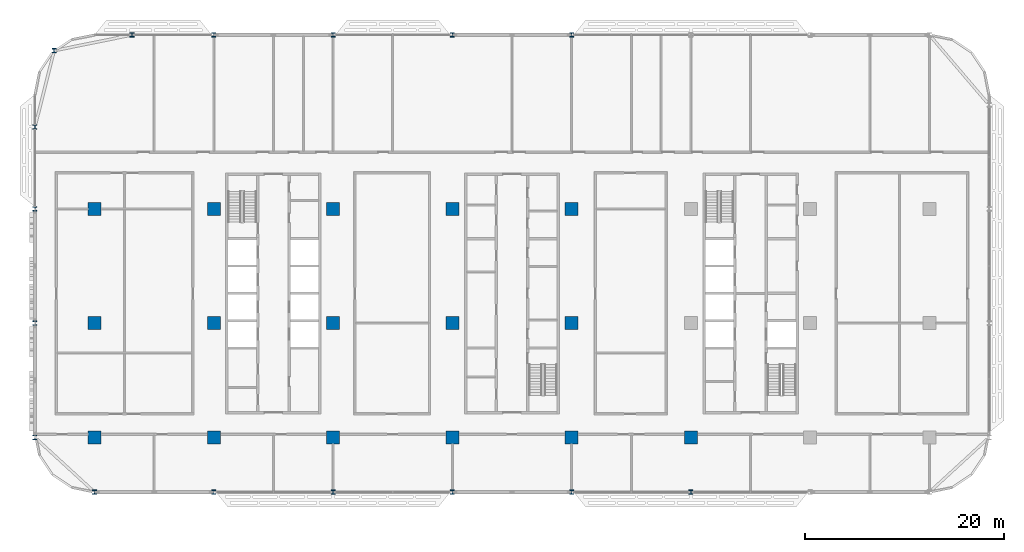
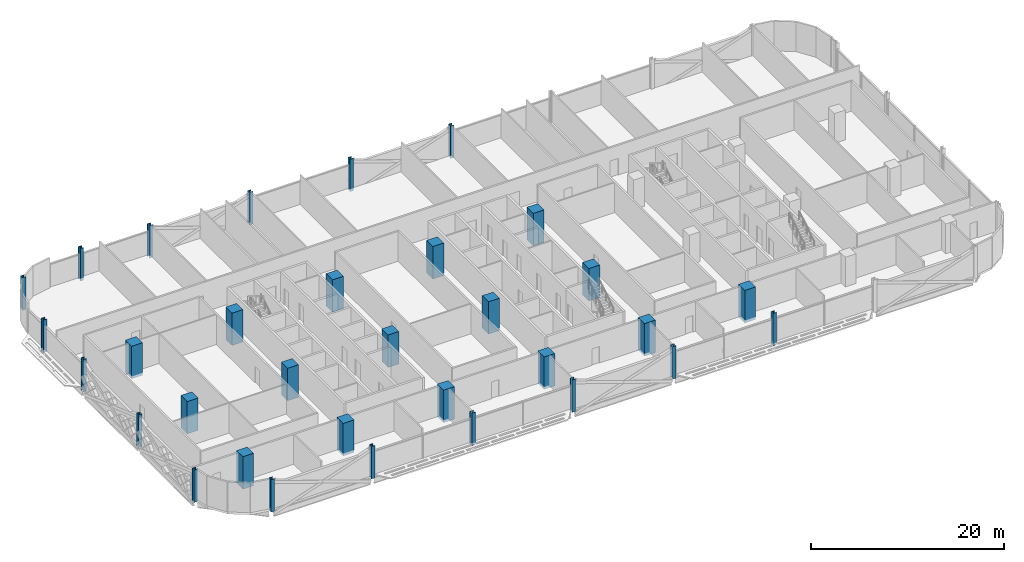
# One storey, part 1 of 28: 32 columns.
"""IFC4 building model written with IfcOpenShell, lengths in metres."""

import ifcopenshell
import ifcopenshell.guid

model = None  # the IFC model being written
_history = None  # IfcOwnerHistory: only IFC2X3 demands one
_inside = {}  # id of a spatial element -> (the spatial element, [elements in it])
_under = {}  # id of a project, library or spatial element -> (it, [spatial elements below it])
_declared = {}  # id of a project -> (the project, [libraries it declares])
_typed = {}  # id of a type object -> (the type object, [elements of that type])
_made_of = {}  # id of a material, layer set ... -> (it, [elements and type objects made of it])


def new_model(schema):
    """Start an empty IFC model of exactly this schema.

    Asked for "IFC4X3", IfcOpenShell would pick the latest addendum, in which some entities
    have other attributes; the version numbers below select the first issue.
    IFC2X3 requires an IfcOwnerHistory on every rooted entity: one is made here for all.
    """
    global model, _history
    if schema == "IFC4X3":
        model = ifcopenshell.file(schema_version=(4, 3, 0, 0))
    else:
        model = ifcopenshell.file(schema=schema)
    _inside.clear()
    _under.clear()
    _declared.clear()
    _typed.clear()
    _made_of.clear()
    _history = None
    if model.schema == "IFC2X3":
        org = make("IfcOrganization", Name="unknown")
        user = make(
            "IfcPersonAndOrganization",
            ThePerson=make("IfcPerson", FamilyName="unknown"),
            TheOrganization=org,
        )
        app = make(
            "IfcApplication",
            ApplicationDeveloper=org,
            Version="unknown",
            ApplicationFullName="unknown",
            ApplicationIdentifier="unknown",
        )
        _history = make(
            "IfcOwnerHistory",
            OwningUser=user,
            OwningApplication=app,
            ChangeAction="ADDED",
            CreationDate=0,
        )
    return model


def make(cls, **values):
    """One entity of the class cls with the attributes given. An attribute that is None is left unset."""
    return model.create_entity(
        cls, **{name: value for name, value in values.items() if value is not None}
    )


def rooted(cls, **values):
    """An entity with a GlobalId (a new one), such as an element, a storey or a relation."""
    return make(cls, GlobalId=ifcopenshell.guid.new(), OwnerHistory=_history, **values)


def si_unit(unit_type, name, prefix=None):
    """IfcSIUnit, for example si_unit("LENGTHUNIT", "METRE", prefix="MILLI")."""
    return make("IfcSIUnit", UnitType=unit_type, Prefix=prefix, Name=name)


def assignment(units):
    """IfcUnitAssignment: the units of a project."""
    return None if units is None else make("IfcUnitAssignment", Units=units)


def point(xyz):
    """IfcCartesianPoint."""
    return None if xyz is None else make("IfcCartesianPoint", Coordinates=xyz)


def direction(xyz):
    """IfcDirection."""
    return None if xyz is None else make("IfcDirection", DirectionRatios=xyz)


def frame(location, z_axis=None, x_axis=None):
    """IfcAxis2Placement3D, a coordinate frame: its origin and axes. An axis left out is left unset."""
    return make(
        "IfcAxis2Placement3D",
        Location=point(location),
        Axis=direction(z_axis),
        RefDirection=direction(x_axis),
    )


def frame_2d(location, x_axis=None):
    """IfcAxis2Placement2D, a coordinate frame in the plane: its origin and x axis."""
    return make(
        "IfcAxis2Placement2D", Location=point(location), RefDirection=direction(x_axis)
    )


def origin():
    """The frame at (0, 0, 0) with its axes left unset."""
    return frame((0.0, 0.0, 0.0))


def origin_2d():
    """The frame at (0, 0) in the plane with its x axis left unset."""
    return frame_2d((0.0, 0.0))


def place(relative_to, where):
    """IfcLocalPlacement: puts the frame where relative to a parent placement (None: the world)."""
    return make(
        "IfcLocalPlacement", PlacementRelTo=relative_to, RelativePlacement=where
    )


def context(
    kind, dimensions, precision=None, world=None, true_north=None, identifier=None
):
    """IfcGeometricRepresentationContext, for example the 3D "Model" context."""
    return make(
        "IfcGeometricRepresentationContext",
        ContextIdentifier=identifier,
        ContextType=kind,
        CoordinateSpaceDimension=dimensions,
        Precision=precision,
        WorldCoordinateSystem=world,
        TrueNorth=true_north,
    )


def subcontext(parent, identifier, kind, view, scale=None):
    """IfcGeometricRepresentationSubContext, for example "Body" below "Model"."""
    return make(
        "IfcGeometricRepresentationSubContext",
        ContextIdentifier=identifier,
        ContextType=kind,
        ParentContext=parent,
        TargetScale=scale,
        TargetView=view,
    )


def project(units=None, contexts=None):
    """IfcProject with its units and contexts."""
    return rooted(
        "IfcProject",
        Name="project",
        RepresentationContexts=contexts,
        UnitsInContext=assignment(units),
    )


def spatial(cls, under=None, at=None, **own):
    """A site, building, storey or space (cls), placed at a placement, below another one or the project."""
    s = rooted(cls, ObjectPlacement=at, **own)
    if under is not None:
        _under.setdefault(under.id(), (under, []))[1].append(s)
    return s


def profile(cls, at=None, kind="AREA", **sizes):
    """A parametric profile (cls). Its sizes go by their IFC names, for example OverallWidth=200.0."""
    return make(cls, ProfileType=kind, Position=at, **sizes)


def rectangle(**sizes):
    """IfcRectangleProfileDef."""
    return profile("IfcRectangleProfileDef", **sizes)


def i_section(**sizes):
    """IfcIShapeProfileDef."""
    return profile("IfcIShapeProfileDef", **sizes)


def extrude(swept, where, along, depth):
    """IfcExtrudedAreaSolid: the profile swept, set in the frame where, extruded along a direction by depth."""
    return make(
        "IfcExtrudedAreaSolid",
        SweptArea=swept,
        Position=where,
        ExtrudedDirection=direction(along),
        Depth=depth,
    )


def shape(context_of_items, identifier, shape_type, items):
    """IfcShapeRepresentation: the items that make up one representation, for example the "Body"."""
    return make(
        "IfcShapeRepresentation",
        ContextOfItems=context_of_items,
        RepresentationIdentifier=identifier,
        RepresentationType=shape_type,
        Items=items,
    )


def material(Name=None, Category=None):
    """IfcMaterial."""
    return make("IfcMaterial", Name=Name, Category=Category)


def material_profile(
    of_material, cross_section, Name=None, Category=None, Priority=None
):
    """IfcMaterialProfile: a cross section and its material."""
    return make(
        "IfcMaterialProfile",
        Name=Name,
        Material=of_material,
        Profile=cross_section,
        Priority=Priority,
        Category=Category,
    )


def profile_set(profiles, Name=None, composite=None):
    """IfcMaterialProfileSet."""
    return make(
        "IfcMaterialProfileSet",
        Name=Name,
        MaterialProfiles=profiles,
        CompositeProfile=composite,
    )


def made_of(thing, what):
    """Note that an element or type object is made of a material, layer set ...; save() writes the relation."""
    if what is not None:
        _made_of.setdefault(what.id(), (what, []))[1].append(thing)
    return thing


def type_object(cls, material=None, **own):
    """A type object (cls), such as IfcWallType, which elements share."""
    return made_of(rooted(cls, **own), material)


def element(
    cls,
    number,
    at=None,
    inside=None,
    cuts=None,
    type_object=None,
    material=None,
    context=None,
    identifier="Body",
    shape_type=None,
    held_by="IfcProductDefinitionShape",
    body=None,
    shapes=None,
    **own,
):
    """One element of the class cls, such as IfcWall. Its Tag is "e" and its number.

    at: its placement. inside: the storey or other place that contains it. cuts: it is an
    opening in that element (IfcRelVoidsElement). A single representation is given by context,
    identifier, shape_type and body (its items); several are given by shapes. held_by: the class
    of the entity that holds the representations. save() writes the other relations.
    """
    e = rooted(cls, Tag="e%d" % number, ObjectPlacement=at, **own)
    if body is not None:
        shapes = [shape(context, identifier, shape_type, body)]
    if shapes is not None:
        e.Representation = make(held_by, Representations=shapes)
    if inside is not None:
        _inside.setdefault(inside.id(), (inside, []))[1].append(e)
    if cuts is not None:
        rooted(
            "IfcRelVoidsElement", RelatingBuildingElement=cuts, RelatedOpeningElement=e
        )
    if type_object is not None:
        _typed.setdefault(type_object.id(), (type_object, []))[1].append(e)
    return made_of(e, material)


def aggregate(whole, parts):
    """IfcRelAggregates: a whole, such as a stair, and the parts it consists of."""
    return rooted("IfcRelAggregates", RelatingObject=whole, RelatedObjects=parts)


def save(model, path):
    """Write the relations noted so far, then the file.

    IfcRelAggregates (storeys below a building ...), IfcRelContainedInSpatialStructure (elements
    in a storey), IfcRelDefinesByType, IfcRelAssociatesMaterial and IfcRelDeclares: one each for
    every whole, place, type object, material and project.
    """
    for whole, parts in _under.values():
        aggregate(whole, parts)
    for where, things in _inside.values():
        rooted(
            "IfcRelContainedInSpatialStructure",
            RelatedElements=things,
            RelatingStructure=where,
        )
    for kind, things in _typed.values():
        rooted("IfcRelDefinesByType", RelatedObjects=things, RelatingType=kind)
    for what, things in _made_of.values():
        rooted("IfcRelAssociatesMaterial", RelatedObjects=things, RelatingMaterial=what)
    for by, libraries in _declared.values():
        rooted("IfcRelDeclares", RelatingContext=by, RelatedDefinitions=libraries)
    model.write(path)


model = new_model("IFC4")

# Units and contexts
model_context = context("Model", 3, precision=1e-05, world=origin(), true_north=direction((0.0, 1.0)))
body_context = subcontext(model_context, "Body", "Model", "MODEL_VIEW")
ifc_project = project(units=[si_unit("LENGTHUNIT", "METRE"), si_unit("AREAUNIT", "SQUARE_METRE"), si_unit("VOLUMEUNIT", "CUBIC_METRE"), si_unit("PLANEANGLEUNIT", "RADIAN"), si_unit("MASSUNIT", "GRAM", prefix="KILO")], contexts=[model_context])

# Site, building, storey
site_placement = place(None, origin())
site = spatial("IfcSite", under=ifc_project, at=site_placement, CompositionType="ELEMENT")
building_placement = place(site_placement, origin())
building = spatial("IfcBuilding", under=site, at=building_placement, Name="Mahtab Terrace Research Tower", CompositionType="ELEMENT")
storey_placement = place(building_placement, frame((0.0, 0.0, 130.199951171875)))
storey = spatial("IfcBuildingStorey", under=building, at=storey_placement, Name="L30", CompositionType="ELEMENT", Elevation=130.199951171875)

# Columns
ifc_material_1 = material(Name="Concrete C70/85", Category="concrete")
ifc_material_profile_1 = material_profile(ifc_material_1, rectangle(XDim=1.300048828125, YDim=1.300048828125, at=origin_2d()), Name="RC column 1300x1300")
ifc_profile_set_1 = profile_set([ifc_material_profile_1], Name="Concrete C70/85")
column_type_1 = type_object("IfcColumnType", Name="RC column 1300x1300", PredefinedType="COLUMN", material=ifc_profile_set_1)
for number, where, z_axis, x_axis, name in (
    (1, (-42.0, -11.5, -0.33984375), (0.0, 0.0, 1.0), (1.0, 0.0, 0.0), "Column RC-1A L30"),
    (2, (-42.0, 0.0, -0.33984375), (0.0, 0.0, 1.0), (1.0, 0.0, 0.0), "Column RC-1B L30"),
    (3, (-42.0, 11.5, -0.33984375), (0.0, 0.0, 1.0), (1.0, 0.0, 0.0), "Column RC-1C L30"),
    (4, (-30.0, -11.5, -0.33984375), (0.0, 0.0, 1.0), (1.0, 0.0, 0.0), "Column RC-2A L30"),
    (5, (-30.0, 0.0, -0.33984375), (0.0, 0.0, 1.0), (1.0, 0.0, 0.0), "Column RC-2B L30"),
    (6, (-30.0, 11.5, -0.33984375), (0.0, 0.0, 1.0), (1.0, 0.0, 0.0), "Column RC-2C L30"),
    (7, (-18.0, -11.5, -0.33984375), (0.0, 0.0, 1.0), (1.0, 0.0, 0.0), "Column RC-3A L30"),
    (8, (-18.0, 0.0, -0.33984375), (0.0, 0.0, 1.0), (1.0, 0.0, 0.0), "Column RC-3B L30"),
    (9, (-18.0, 11.5, -0.33984375), (0.0, 0.0, 1.0), (1.0, 0.0, 0.0), "Column RC-3C L30"),
    (10, (-6.0, -11.5, -0.33984375), (0.0, 0.0, 1.0), (1.0, 0.0, 0.0), "Column RC-4A L30"),
    (11, (-6.0, 0.0, -0.33984375), (0.0, 0.0, 1.0), (1.0, 0.0, 0.0), "Column RC-4B L30"),
    (12, (-6.0, 11.5, -0.33984375), (0.0, 0.0, 1.0), (1.0, 0.0, 0.0), "Column RC-4C L30"),
    (13, (6.0, -11.5, -0.33984375), (0.0, 0.0, 1.0), (1.0, 0.0, 0.0), "Column RC-5A L30"),
    (14, (6.0, 0.0, -0.33984375), (0.0, 0.0, 1.0), (1.0, 0.0, 0.0), "Column RC-5B L30"),
    (15, (6.0, 11.5, -0.33984375), (0.0, 0.0, 1.0), (1.0, 0.0, 0.0), "Column RC-5C L30"),
    (16, (18.0, -11.5, -0.33984375), (0.0, 0.0, 1.0), (1.0, 0.0, 0.0), "Column RC-6A L30"),
):
    element("IfcColumn", number, at=place(storey_placement, frame(where, z_axis=z_axis, x_axis=x_axis)), inside=storey, type_object=column_type_1, Name=name, PredefinedType="COLUMN", context=body_context, shape_type="SweptSolid", body=[
        extrude(rectangle(XDim=1.300048828125, YDim=1.300048828125, at=origin_2d()), origin(), (0.0, 0.0, 1.0), 4.099853515625),
    ])
ifc_material_2 = material(Name="Steel ASTM A992 Gr 50", Category="steel")
ifc_material_profile_2 = material_profile(ifc_material_2, i_section(OverallWidth=0.41162109375, OverallDepth=0.434326171875, WebThickness=0.035888671875, FlangeThickness=0.057373046875, at=origin_2d()), Name="W14X311")
ifc_profile_set_2 = profile_set([ifc_material_profile_2], Name="Steel ASTM A992 Gr 50")
column_type_2 = type_object("IfcColumnType", Name="W14x311 column CS14311", PredefinedType="COLUMN", material=ifc_profile_set_2)
for number, where, z_axis, x_axis, name in (
    (17, (6.0, 29.0, -0.33984375), (0.0, 0.0, 1.0), (1.0, 0.0, 0.0), "Column SC-034 L30"),
    (18, (-6.0, 29.0, -0.33984375), (0.0, 0.0, 1.0), (1.0, 0.0, 0.0), "Column SC-035 L30"),
    (19, (-18.0, 29.0, -0.33984375), (0.0, 0.0, 1.0), (1.0, 0.0, 0.0), "Column SC-036 L30"),
    (20, (-30.0, 29.0, -0.33984375), (0.0, 0.0, 1.0), (1.0, 0.0, 0.0), "Column SC-037 L30"),
    (21, (-38.23095703125, 29.0, -0.33984375), (0.0, 0.0, 1.0), (1.0, 0.0, 0.0), "Column SC-046 L30"),
    (22, (-46.06201171875, 27.416015625, -0.33984375), (0.0, 0.0, 1.0), (1.0, 0.0, 0.0), "Column SC-047 L30"),
    (23, (-48.0, 19.73095703125, -0.33984375), (0.0, 0.0, 1.0), (1.0, 0.0, 0.0), "Column SC-048 L30"),
    (24, (-48.0, 11.5, -0.33984375), (0.0, 0.0, 1.0), (1.0, 0.0, 0.0), "Column SC-009 L30"),
    (25, (-48.0, 0.0, -0.33984375), (0.0, 0.0, 1.0), (1.0, 0.0, 0.0), "Column SC-010 L30"),
    (26, (-48.0, -11.5, -0.33984375), (0.0, 0.0, 1.0), (1.0, 0.0, 0.0), "Column SC-011 L30"),
    (27, (-42.0, -17.0, -0.33984375), (0.0, 0.0, 1.0), (1.0, 0.0, 0.0), "Column SC-049 L30"),
    (28, (-30.0, -17.0, -0.33984375), (0.0, 0.0, 1.0), (1.0, 0.0, 0.0), "Column SC-039 L30"),
    (29, (-18.0, -17.0, -0.33984375), (0.0, 0.0, 1.0), (1.0, 0.0, 0.0), "Column SC-040 L30"),
    (30, (-6.0, -17.0, -0.33984375), (0.0, 0.0, 1.0), (1.0, 0.0, 0.0), "Column SC-041 L30"),
    (31, (6.0, -17.0, -0.33984375), (0.0, 0.0, 1.0), (1.0, 0.0, 0.0), "Column SC-042 L30"),
    (32, (18.0, -17.0, -0.33984375), (0.0, 0.0, 1.0), (1.0, 0.0, 0.0), "Column SC-043 L30"),
):
    element("IfcColumn", number, at=place(storey_placement, frame(where, z_axis=z_axis, x_axis=x_axis)), inside=storey, type_object=column_type_2, Name=name, PredefinedType="COLUMN", context=body_context, shape_type="SweptSolid", body=[
        extrude(i_section(OverallWidth=0.41162109375, OverallDepth=0.434326171875, WebThickness=0.035888671875, FlangeThickness=0.057373046875, at=origin_2d()), origin(), (0.0, 0.0, 1.0), 4.099853515625),
    ])

save(model, "model.ifc")
